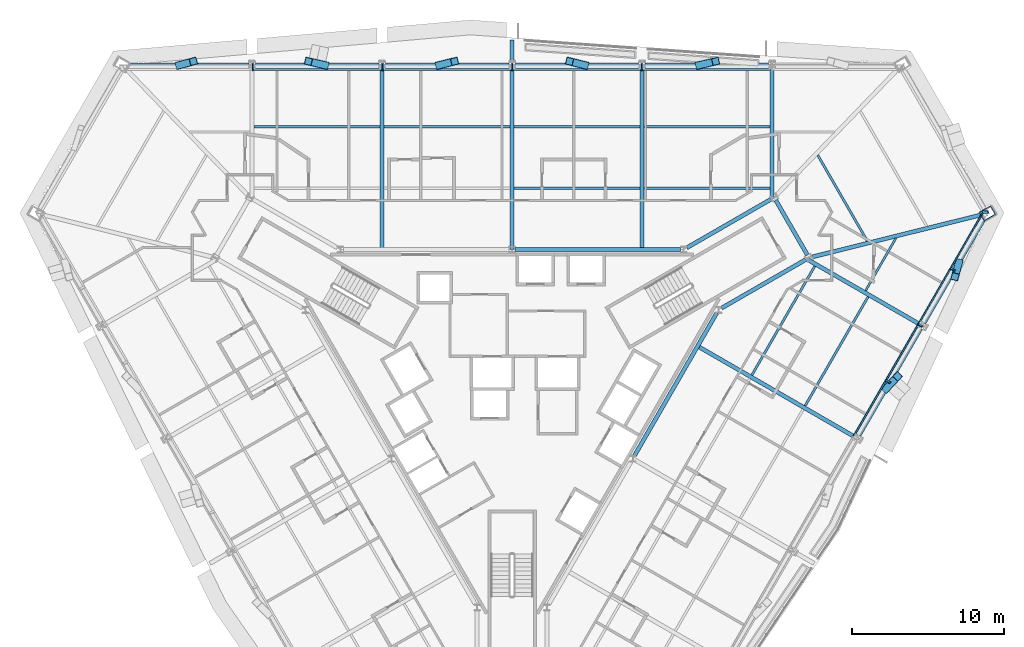
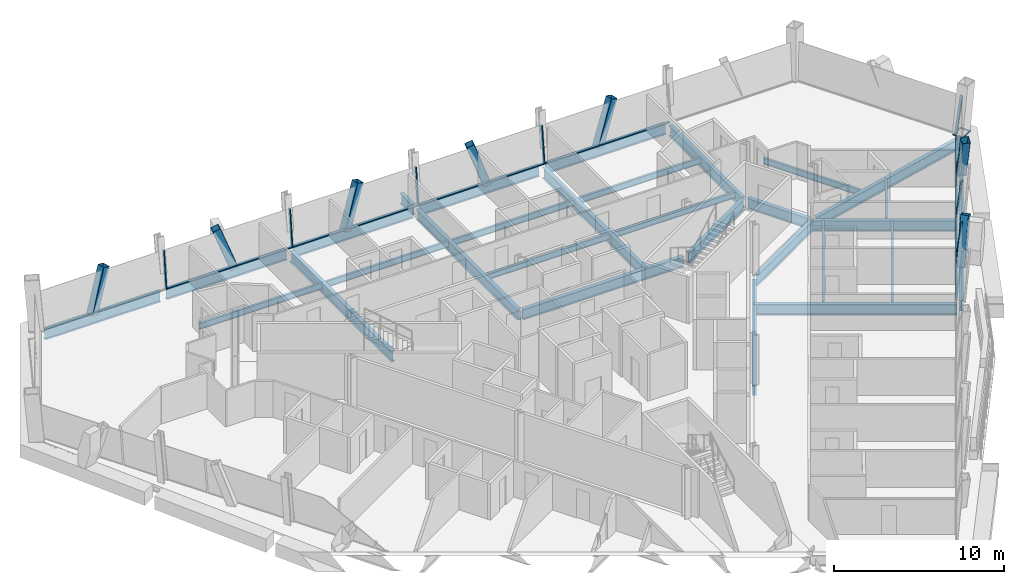
# One storey, part 5 of 15: 30 beams, 24 members, 3 elements without a shape of their own.
"""IFC4 building model written with IfcOpenShell, lengths in metres."""

from ifc_helpers import new_model, si_unit, direction, frame, origin, origin_2d, place, context, subcontext, project, spatial, rectangle, hollow_rectangle, i_section, extrude, material, material_profile, profile_set, type_object, element, aggregate, save


model = new_model("IFC4")

# Units and contexts
model_context = context("Model", 3, precision=1e-05, world=origin(), true_north=direction((0.0, 1.0)))
body_context = subcontext(model_context, "Body", "Model", "MODEL_VIEW")
ifc_project = project(units=[si_unit("LENGTHUNIT", "METRE"), si_unit("AREAUNIT", "SQUARE_METRE"), si_unit("VOLUMEUNIT", "CUBIC_METRE"), si_unit("PLANEANGLEUNIT", "RADIAN"), si_unit("MASSUNIT", "GRAM", prefix="KILO")], contexts=[model_context])

# Site, building, storey
site_placement = place(None, origin())
site = spatial("IfcSite", under=ifc_project, at=site_placement, CompositionType="ELEMENT")
building_placement = place(site_placement, origin())
building = spatial("IfcBuilding", under=site, at=building_placement, Name="Verrane Prism Tower", CompositionType="ELEMENT")
storey_placement = place(building_placement, frame((0.0, 0.0, 72.800048828125)))
storey = spatial("IfcBuildingStorey", under=building, at=storey_placement, Name="L16", CompositionType="ELEMENT", Elevation=72.800048828125)

# Beams
ifc_material_1 = material(Name="Steel A992", Category="steel")
ifc_material_profile_1 = material_profile(ifc_material_1, i_section(OverallWidth=0.2666015625, OverallDepth=0.7568359375, WebThickness=0.013916015625, FlangeThickness=0.019287109375, FilletRadius=0.0166015625, at=origin_2d()), Name="W30x108")
ifc_profile_set_1 = profile_set([ifc_material_profile_1], Name="Steel A992")
beam_type_1 = type_object("IfcBeamType", Name="Core ring girder W30x108", PredefinedType="BEAM", material=ifc_profile_set_1)
beam_1_placement = place(storey_placement, frame((13.833251953125, 5.337158203125, -0.628662109375), z_axis=(0.86646365882, 0.499240150574, 0.0), x_axis=(-0.499240150574, 0.86646365882, 0.0)))
element("IfcBeam", 1, at=beam_1_placement, inside=storey, type_object=beam_type_1, Name="Core ring girder L16", PredefinedType="BEAM", context=body_context, shape_type="SweptSolid", body=[
    extrude(i_section(OverallWidth=0.2666015625, OverallDepth=0.7568359375, WebThickness=0.013916015625, FlangeThickness=0.019287109375, FilletRadius=0.0166015625, at=origin_2d()), origin(), (0.0, 0.0, 1.0), 6.42822265625),
])
beam_2_placement = place(storey_placement, frame((19.4951171875, 8.84130859375, -0.628662109375), z_axis=(-0.500349643494, 0.865823442888, 0.0), x_axis=(-0.865823442888, -0.500349643494, 0.0)))
element("IfcBeam", 2, at=beam_2_placement, inside=storey, type_object=beam_type_1, Name="Core ring girder L16", PredefinedType="BEAM", context=body_context, shape_type="SweptSolid", body=[
    extrude(i_section(OverallWidth=0.2666015625, OverallDepth=0.7568359375, WebThickness=0.013916015625, FlangeThickness=0.019287109375, FilletRadius=0.0166015625, at=origin_2d()), origin(), (0.0, 0.0, 1.0), 4.177734375),
])
beam_3_placement = place(storey_placement, frame((17.10302734375, 12.526611328125, -0.628662109375), z_axis=(-0.866447229751, -0.499268663203, 0.0), x_axis=(0.499268663203, -0.866447229751, 0.0)))
element("IfcBeam", 3, at=beam_3_placement, inside=storey, type_object=beam_type_1, Name="Core ring girder L16", PredefinedType="BEAM", context=body_context, shape_type="SweptSolid", body=[
    extrude(i_section(OverallWidth=0.2666015625, OverallDepth=0.7568359375, WebThickness=0.013916015625, FlangeThickness=0.019287109375, FilletRadius=0.0166015625, at=origin_2d()), origin(), (0.0, 0.0, 1.0), 6.428466796875),
])
beam_4_placement = place(storey_placement, frame((11.126708984375, 9.199951171875, -0.628662109375), z_axis=(-1.0, 0.0, 0.0), x_axis=(0.0, -1.0, 0.0)))
element("IfcBeam", 4, at=beam_4_placement, inside=storey, type_object=beam_type_1, Name="Core ring girder L16", PredefinedType="BEAM", context=body_context, shape_type="SweptSolid", body=[
    extrude(i_section(OverallWidth=0.2666015625, OverallDepth=0.7568359375, WebThickness=0.013916015625, FlangeThickness=0.019287109375, FilletRadius=0.0166015625, at=origin_2d()), origin(), (0.0, 0.0, 1.0), 10.923583984375),
])
beam_5_placement = place(storey_placement, frame((8.090087890625, -4.3916015625, -0.628662109375), z_axis=(0.499371892062, 0.866387738498, 0.0), x_axis=(-0.866387738498, 0.499371892062, 0.0)))
element("IfcBeam", 5, at=beam_5_placement, inside=storey, type_object=beam_type_1, Name="Core ring girder L16", PredefinedType="BEAM", context=body_context, shape_type="SweptSolid", body=[
    extrude(i_section(OverallWidth=0.2666015625, OverallDepth=0.7568359375, WebThickness=0.013916015625, FlangeThickness=0.019287109375, FilletRadius=0.0166015625, at=origin_2d()), origin(), (0.0, 0.0, 1.0), 10.853515625),
])
ifc_material_2 = material(Name="Steel A992", Category="steel")
ifc_material_profile_2 = material_profile(ifc_material_2, i_section(OverallWidth=0.2666015625, OverallDepth=0.76708984375, WebThickness=0.014892578125, FlangeThickness=0.023681640625, FilletRadius=0.0166015625, at=origin_2d()), Name="W30x124")
ifc_profile_set_2 = profile_set([ifc_material_profile_2], Name="Steel A992")
beam_type_2 = type_object("IfcBeamType", Name="Corner girder W30x124", PredefinedType="BEAM", material=ifc_profile_set_2)
beam_6_placement = place(storey_placement, frame((31.3671875, 11.58935546875, -0.603515625), z_axis=(-0.970381185605, -0.24157887868, 0.0), x_axis=(0.24157887868, -0.970381185605, 0.0)))
element("IfcBeam", 6, at=beam_6_placement, inside=storey, type_object=beam_type_2, Name="Corner girder L16", PredefinedType="BEAM", context=body_context, shape_type="SweptSolid", body=[
    extrude(i_section(OverallWidth=0.2666015625, OverallDepth=0.76708984375, WebThickness=0.014892578125, FlangeThickness=0.023681640625, FilletRadius=0.0166015625, at=origin_2d()), origin(), (0.0, 0.0, 1.0), 11.8896484375),
])

# Members
ifc_material_3 = material(Name="Steel A1085 Grade A", Category="steel")
ifc_material_profile_3 = material_profile(ifc_material_3, hollow_rectangle(XDim=0.508056640625, YDim=0.508056640625, WallThickness=0.025390625, InnerFilletRadius=0.0126953125, OuterFilletRadius=0.0380859375, at=origin_2d()), Name="HSS20x20x1")
ifc_profile_set_3 = profile_set([ifc_material_profile_3], Name="Steel A1085 Grade A")
member_type_1 = type_object("IfcMemberType", Name="Facade brace HSS20x20x1", PredefinedType="BRACE", material=ifc_profile_set_3)
member_1_placement = place(storey_placement, frame((12.35400390625, 21.3701171875, -0.24267578125), z_axis=(0.338443741987, 0.07762820257, 0.937779129473), x_axis=(-0.223562703045, 0.97468954945, 0.0)))
element("IfcMember", 7, at=member_1_placement, inside=storey, type_object=member_type_1, Name="Facade brace N1 L16", PredefinedType="BRACE", context=body_context, shape_type="SweptSolid", body=[
    extrude(hollow_rectangle(XDim=0.508056640625, YDim=0.508056640625, WallThickness=0.025390625, InnerFilletRadius=0.0126953125, OuterFilletRadius=0.0380859375, at=origin_2d()), origin(), (0.0, 0.0, 1.0), 3.2080078125),
])
for number, where, z_axis, x_axis, name in (
    (8, (4.79833984375, 21.3701171875, -0.24267578125), (-0.315925136364, 0.078271469296, 0.945550043788), (-0.240482520893, -0.970653469135, 0.0), "Facade brace N2 L16"),
    (9, (-4.79833984375, 21.3701171875, -0.24267578125), (0.315925136364, 0.078271469296, 0.945550043788), (-0.240482520893, 0.970653469135, 0.0), "Facade brace N3 L16"),
):
    element("IfcMember", number, at=place(storey_placement, frame(where, z_axis=z_axis, x_axis=x_axis)), inside=storey, type_object=member_type_1, Name=name, PredefinedType="BRACE", context=body_context, shape_type="SweptSolid", body=[
        extrude(hollow_rectangle(XDim=0.508056640625, YDim=0.508056640625, WallThickness=0.025390625, InnerFilletRadius=0.0126953125, OuterFilletRadius=0.0380859375, at=origin_2d()), origin(), (0.0, 0.0, 1.0), 3.181640625),
    ])
member_2_placement = place(storey_placement, frame((-12.35400390625, 21.3701171875, -0.24267578125), z_axis=(-0.338443741987, 0.07762820257, 0.937779129473), x_axis=(-0.223562703045, -0.97468954945, 0.0)))
element("IfcMember", 10, at=member_2_placement, inside=storey, type_object=member_type_1, Name="Facade brace N4 L16", PredefinedType="BRACE", context=body_context, shape_type="SweptSolid", body=[
    extrude(hollow_rectangle(XDim=0.508056640625, YDim=0.508056640625, WallThickness=0.025390625, InnerFilletRadius=0.0126953125, OuterFilletRadius=0.0380859375, at=origin_2d()), origin(), (0.0, 0.0, 1.0), 3.2080078125),
])
member_3_placement = place(storey_placement, frame((-21.9560546875, 21.3701171875, -0.24267578125), z_axis=(0.293213198396, 0.078870638809, 0.952788246475), x_axis=(-0.259754282609, 0.965674744759, 0.0)))
element("IfcMember", 11, at=member_3_placement, inside=storey, type_object=member_type_1, Name="Facade brace N5 L16", PredefinedType="BRACE", context=body_context, shape_type="SweptSolid", body=[
    extrude(hollow_rectangle(XDim=0.508056640625, YDim=0.508056640625, WallThickness=0.025390625, InnerFilletRadius=0.0126953125, OuterFilletRadius=0.0380859375, at=origin_2d()), origin(), (0.0, 0.0, 1.0), 3.157470703125),
])
member_4_placement = place(storey_placement, frame((24.68212890625, 0.01708984375, -0.24267578125), z_axis=(0.237161873615, 0.25450961413, 0.937538853605), x_axis=(-0.731600522477, 0.681733581035, 0.0)))
element("IfcMember", 12, at=member_4_placement, inside=storey, type_object=member_type_1, Name="Facade brace SE4 L16", PredefinedType="BRACE", context=body_context, shape_type="SweptSolid", body=[
    extrude(hollow_rectangle(XDim=0.508056640625, YDim=0.508056640625, WallThickness=0.025390625, InnerFilletRadius=0.0126953125, OuterFilletRadius=0.0380859375, at=origin_2d()), origin(), (0.0, 0.0, 1.0), 3.208740234375),
])
member_5_placement = place(storey_placement, frame((29.48583984375, 8.3310546875, -0.24267578125), z_axis=(-0.078793794951, -0.293214985727, 0.952794054359), x_axis=(0.965738598489, -0.259516780554, 0.0)))
element("IfcMember", 13, at=member_5_placement, inside=storey, type_object=member_type_1, Name="Facade brace SE5 L16", PredefinedType="BRACE", context=body_context, shape_type="SweptSolid", body=[
    extrude(hollow_rectangle(XDim=0.508056640625, YDim=0.508056640625, WallThickness=0.025390625, InnerFilletRadius=0.0126953125, OuterFilletRadius=0.0380859375, at=origin_2d()), origin(), (0.0, 0.0, 1.0), 3.1572265625),
])

# Beams
ifc_material_4 = material(Name="Steel A992", Category="steel")
ifc_material_profile_4 = material_profile(ifc_material_4, i_section(OverallWidth=0.140380859375, OverallDepth=0.40380859375, WebThickness=0.007080078125, FlangeThickness=0.01123046875, FilletRadius=0.01025390625, at=origin_2d()), Name="W16x31")
ifc_profile_set_4 = profile_set([ifc_material_profile_4], Name="Steel A992")
beam_type_3 = type_object("IfcBeamType", Name="Floor beam W16x31", PredefinedType="BEAM", material=ifc_profile_set_4)
beam_7_placement = place(storey_placement, frame((23.333984375, 6.484375, -0.362060546875), z_axis=(0.499997052475, 0.866027105532, 0.0), x_axis=(-0.866027105532, 0.499997052475, 0.0)))
element("IfcBeam", 14, at=beam_7_placement, inside=storey, type_object=beam_type_3, Name="Floor beam L16", PredefinedType="BEAM", context=body_context, shape_type="SweptSolid", body=[
    extrude(i_section(OverallWidth=0.140380859375, OverallDepth=0.40380859375, WebThickness=0.007080078125, FlangeThickness=0.01123046875, FilletRadius=0.01025390625, at=origin_2d()), origin(), (0.0, 0.0, 1.0), 4.001953125),
])
ifc_material_5 = material(Name="Steel A992", Category="steel")
ifc_material_profile_5 = material_profile(ifc_material_5, i_section(OverallWidth=0.15234375, OverallDepth=0.449462890625, WebThickness=0.007568359375, FlangeThickness=0.0107421875, FilletRadius=0.01025390625, at=origin_2d()), Name="W18x35")
ifc_profile_set_5 = profile_set([ifc_material_profile_5], Name="Steel A992")
beam_type_4 = type_object("IfcBeamType", Name="Floor beam W18x35", PredefinedType="BEAM", material=ifc_profile_set_5)
for number, where, z_axis, x_axis, name in (
    (15, (8.70361328125, 13.256591796875, -0.384765625), (1.0, 0.0, 0.0), (0.0, 1.0, 0.0), "Floor beam L16"),
    (16, (8.70361328125, 17.313232421875, -0.384765625), (1.0, 0.0, 0.0), (0.0, 1.0, 0.0), "Floor beam L16"),
):
    element("IfcBeam", number, at=place(storey_placement, frame(where, z_axis=z_axis, x_axis=x_axis)), inside=storey, type_object=beam_type_4, Name=name, PredefinedType="BEAM", context=body_context, shape_type="SweptSolid", body=[
        extrude(i_section(OverallWidth=0.15234375, OverallDepth=0.449462890625, WebThickness=0.007568359375, FlangeThickness=0.0107421875, FilletRadius=0.01025390625, at=origin_2d()), origin(), (0.0, 0.0, 1.0), 8.31298828125),
    ])
for number, where, z_axis, x_axis, name in (
    (17, (0.133544921875, 13.256591796875, -0.384765625), (1.0, 0.0, 0.0), (0.0, 1.0, 0.0), "Floor beam L16"),
    (18, (0.133544921875, 17.313232421875, -0.384765625), (1.0, 0.0, 0.0), (0.0, 1.0, 0.0), "Floor beam L16"),
    (19, (-8.4365234375, 17.313232421875, -0.384765625), (1.0, 0.0, 0.0), (0.0, 1.0, 0.0), "Floor beam L16"),
):
    element("IfcBeam", number, at=place(storey_placement, frame(where, z_axis=z_axis, x_axis=x_axis)), inside=storey, type_object=beam_type_4, Name=name, PredefinedType="BEAM", context=body_context, shape_type="SweptSolid", body=[
        extrude(i_section(OverallWidth=0.15234375, OverallDepth=0.449462890625, WebThickness=0.007568359375, FlangeThickness=0.0107421875, FilletRadius=0.01025390625, at=origin_2d()), origin(), (0.0, 0.0, 1.0), 8.302978515625),
    ])
beam_8_placement = place(storey_placement, frame((-17.0166015625, 17.313232421875, -0.384765625), z_axis=(1.0, 0.0, 0.0), x_axis=(0.0, 1.0, 0.0)))
element("IfcBeam", 20, at=beam_8_placement, inside=storey, type_object=beam_type_4, Name="Floor beam L16", PredefinedType="BEAM", context=body_context, shape_type="SweptSolid", body=[
    extrude(i_section(OverallWidth=0.15234375, OverallDepth=0.449462890625, WebThickness=0.007568359375, FlangeThickness=0.0107421875, FilletRadius=0.01025390625, at=origin_2d()), origin(), (0.0, 0.0, 1.0), 8.31298828125),
])
beam_9_placement = place(storey_placement, frame((19.343505859375, -1.114501953125, -0.384765625), z_axis=(0.499991203388, 0.866030482451, 0.0), x_axis=(-0.866030482451, 0.499991203388, 0.0)))
element("IfcBeam", 21, at=beam_9_placement, inside=storey, type_object=beam_type_4, Name="Floor beam L16", PredefinedType="BEAM", context=body_context, shape_type="SweptSolid", body=[
    extrude(i_section(OverallWidth=0.15234375, OverallDepth=0.449462890625, WebThickness=0.007568359375, FlangeThickness=0.0107421875, FilletRadius=0.01025390625, at=origin_2d()), origin(), (0.0, 0.0, 1.0), 8.309326171875),
])
beam_10_placement = place(storey_placement, frame((15.830078125, 0.91552734375, -0.384765625), z_axis=(0.500002345008, 0.866024049889, 0.0), x_axis=(-0.866024049889, 0.500002345008, 0.0)))
element("IfcBeam", 22, at=beam_10_placement, inside=storey, type_object=beam_type_4, Name="Floor beam L16", PredefinedType="BEAM", context=body_context, shape_type="SweptSolid", body=[
    extrude(i_section(OverallWidth=0.15234375, OverallDepth=0.449462890625, WebThickness=0.007568359375, FlangeThickness=0.0107421875, FilletRadius=0.01025390625, at=origin_2d()), origin(), (0.0, 0.0, 1.0), 8.3056640625),
])
beam_11_placement = place(storey_placement, frame((23.45263671875, 9.756591796875, -0.384765625), z_axis=(-0.499982664585, 0.86603541216, 0.0), x_axis=(-0.86603541216, -0.499982664585, 0.0)))
element("IfcBeam", 23, at=beam_11_placement, inside=storey, type_object=beam_type_4, Name="Floor beam L16", PredefinedType="BEAM", context=body_context, shape_type="SweptSolid", body=[
    extrude(i_section(OverallWidth=0.15234375, OverallDepth=0.449462890625, WebThickness=0.007568359375, FlangeThickness=0.0107421875, FilletRadius=0.01025390625, at=origin_2d()), origin(), (0.0, 0.0, 1.0), 6.551513671875),
])

# Member
ifc_material_6 = material(Name="Steel A572 Grade 50", Category="steel")
ifc_material_profile_6 = material_profile(ifc_material_6, hollow_rectangle(XDim=0.699951171875, YDim=0.89990234375, WallThickness=0.06494140625, at=origin_2d()), Name="BOX 900x700x65")
ifc_profile_set_6 = profile_set([ifc_material_profile_6], Name="Steel A572 Grade 50")
member_type_2 = type_object("IfcMemberType", Name="Kink node BOX 900x700x65", PredefinedType="COLLAR", material=ifc_profile_set_6)
member_6_placement = place(storey_placement, frame((31.371826171875, 11.590087890625, -0.0400390625), z_axis=(0.0, 0.0, 1.0), x_axis=(0.5, -0.866025403784, 0.0)))
element("IfcMember", 24, at=member_6_placement, inside=storey, type_object=member_type_2, Name="Kink node MC3 L16", PredefinedType="COLLAR", context=body_context, shape_type="SweptSolid", body=[
    extrude(hollow_rectangle(XDim=0.699951171875, YDim=0.89990234375, WallThickness=0.06494140625, at=origin_2d()), origin(), (0.0, 0.0, 1.0), 0.080078125),
])

# Curtain wall, members
ifc_material_7 = material(Name="Aluminium framed insulated glazing", Category="aluminium")
curtain_wall_type_1 = type_object("IfcCurtainWallType", Name="Curtain wall CW-C 4200 module", PredefinedType="NOTDEFINED", material=ifc_material_7)
curtain_wall_1_placement = place(storey_placement, origin())
curtain_wall_1 = element("IfcCurtainWall", 25, at=curtain_wall_1_placement, inside=storey, type_object=curtain_wall_type_1, Name="Glazed curtain wall south-east face L16", PredefinedType="NOTDEFINED")
ifc_material_8 = material(Name="Aluminium alloy 6063-T6", Category="aluminium")
ifc_material_profile_7 = material_profile(ifc_material_8, rectangle(XDim=0.139892578125, YDim=0.050048828125, at=origin_2d()), Name="Mullion 50x140 aluminium")
ifc_profile_set_7 = profile_set([ifc_material_profile_7], Name="Aluminium alloy 6063-T6")
member_type_3 = type_object("IfcMemberType", Name="Mullion 50x140 aluminium", PredefinedType="MULLION", material=ifc_profile_set_7)
member_7_placement = place(storey_placement, frame((24.677490234375, 0.560791015625, 0.0), z_axis=(0.098771561601, -0.057090705249, 0.99347110174), x_axis=(-0.863445525252, -0.501206573881, 0.057042047835)))
member_7 = element("IfcMember", 26, at=member_7_placement, type_object=member_type_3, Name="CW14.6 mullion 10", PredefinedType="MULLION", context=body_context, shape_type="SweptSolid", body=[
    extrude(rectangle(XDim=0.139892578125, YDim=0.050048828125, at=origin_2d()), origin(), (0.0, 0.0, 1.0), 2.6298828125),
])
member_8_placement = place(storey_placement, frame((26.81494140625, 4.262939453125, 0.0), z_axis=(0.098771561601, -0.057090705249, 0.99347110174), x_axis=(-0.863445525252, -0.501206573881, 0.057042047835)))
member_8 = element("IfcMember", 27, at=member_8_placement, type_object=member_type_3, Name="CW14.6 mullion 11", PredefinedType="MULLION", context=body_context, shape_type="SweptSolid", body=[
    extrude(rectangle(XDim=0.139892578125, YDim=0.050048828125, at=origin_2d()), origin(), (0.0, 0.0, 1.0), 2.6298828125),
])
member_9_placement = place(storey_placement, frame((28.952392578125, 7.96484375, 0.0), z_axis=(0.098772084644, -0.056998176665, 0.993476362654), x_axis=(-0.863094352371, -0.501813667585, 0.057019136519)))
member_9 = element("IfcMember", 28, at=member_9_placement, type_object=member_type_3, Name="CW14.6 mullion 12", PredefinedType="MULLION", context=body_context, shape_type="SweptSolid", body=[
    extrude(rectangle(XDim=0.139892578125, YDim=0.050048828125, at=origin_2d()), origin(), (0.0, 0.0, 1.0), 2.6298828125),
])

# Curtain wall, member
ifc_material_9 = material(Name="Aluminium framed insulated glazing", Category="aluminium")
curtain_wall_type_2 = type_object("IfcCurtainWallType", Name="Curtain wall CW-A 8400 module", PredefinedType="NOTDEFINED", material=ifc_material_9)
curtain_wall_2_placement = place(storey_placement, origin())
curtain_wall_2 = element("IfcCurtainWall", 29, at=curtain_wall_2_placement, inside=storey, type_object=curtain_wall_type_2, Name="Glazed curtain wall north-east corner L16", PredefinedType="NOTDEFINED")
ifc_material_10 = material(Name="Aluminium alloy 6063-T6", Category="aluminium")
ifc_material_profile_8 = material_profile(ifc_material_10, rectangle(XDim=0.199951171875, YDim=0.070068359375, at=origin_2d()), Name="Mullion 70x200 aluminium")
ifc_profile_set_8 = profile_set([ifc_material_profile_8], Name="Aluminium alloy 6063-T6")
member_type_4 = type_object("IfcMemberType", Name="Mullion 70x200 aluminium", PredefinedType="MULLION", material=ifc_profile_set_8)
member_10_placement = place(storey_placement, frame((31.072265625, 11.697265625, 0.0), z_axis=(0.13797823122, -0.011289969288, 0.990370912488), x_axis=(0.422906688937, -0.903525668241, -0.069219211804)))
member_10 = element("IfcMember", 30, at=member_10_placement, type_object=member_type_4, Name="CW14.1 mullion 1", PredefinedType="MULLION", context=body_context, shape_type="SweptSolid", body=[
    extrude(rectangle(XDim=0.199951171875, YDim=0.070068359375, at=origin_2d()), origin(), (0.0, 0.0, 1.0), 2.63818359375),
])
aggregate(curtain_wall_2, [member_10])

# Curtain wall, members
curtain_wall_3_placement = place(storey_placement, origin())
curtain_wall_3 = element("IfcCurtainWall", 31, at=curtain_wall_3_placement, inside=storey, type_object=curtain_wall_type_2, Name="Glazed curtain wall north face L16", PredefinedType="NOTDEFINED")
member_11_placement = place(storey_placement, frame((8.549560546875, 21.091064453125, 0.0), z_axis=(0.0, 0.114088521093, 0.993470588067), x_axis=(0.0, 0.993470588067, -0.114088521093)))
member_11 = element("IfcMember", 32, at=member_11_placement, type_object=member_type_4, Name="CW14.2 mullion 3", PredefinedType="MULLION", context=body_context, shape_type="SweptSolid", body=[
    extrude(rectangle(XDim=0.199951171875, YDim=0.070068359375, at=origin_2d()), origin(), (0.0, 0.0, 1.0), 2.6298828125),
])
member_12_placement = place(storey_placement, frame((0.0, 21.091064453125, 0.0), z_axis=(0.0, 0.114088521093, 0.993470588067), x_axis=(0.0, 0.993470588067, -0.114088521093)))
member_12 = element("IfcMember", 33, at=member_12_placement, type_object=member_type_4, Name="CW14.2 mullion 4", PredefinedType="MULLION", context=body_context, shape_type="SweptSolid", body=[
    extrude(rectangle(XDim=0.199951171875, YDim=0.070068359375, at=origin_2d()), origin(), (0.0, 0.0, 1.0), 2.6298828125),
])
member_13_placement = place(storey_placement, frame((-8.549560546875, 21.091064453125, 0.0), z_axis=(0.0, 0.114088521093, 0.993470588067), x_axis=(0.0, 0.993470588067, -0.114088521093)))
member_13 = element("IfcMember", 34, at=member_13_placement, type_object=member_type_4, Name="CW14.2 mullion 5", PredefinedType="MULLION", context=body_context, shape_type="SweptSolid", body=[
    extrude(rectangle(XDim=0.199951171875, YDim=0.070068359375, at=origin_2d()), origin(), (0.0, 0.0, 1.0), 2.6298828125),
])
member_14_placement = place(storey_placement, frame((-17.09912109375, 21.091064453125, 0.0), z_axis=(0.0, 0.114088521093, 0.993470588067), x_axis=(0.0, 0.993470588067, -0.114088521093)))
member_14 = element("IfcMember", 35, at=member_14_placement, type_object=member_type_4, Name="CW14.2 mullion 6", PredefinedType="MULLION", context=body_context, shape_type="SweptSolid", body=[
    extrude(rectangle(XDim=0.199951171875, YDim=0.070068359375, at=origin_2d()), origin(), (0.0, 0.0, 1.0), 2.6298828125),
])

# Beams
ifc_material_11 = material(Name="Steel A992", Category="steel")
ifc_material_profile_9 = material_profile(ifc_material_11, i_section(OverallWidth=0.2666015625, OverallDepth=0.76708984375, WebThickness=0.014892578125, FlangeThickness=0.023681640625, FilletRadius=0.0166015625, at=origin_2d()), Name="W30x124")
ifc_profile_set_9 = profile_set([ifc_material_profile_9], Name="Steel A992")
beam_type_5 = type_object("IfcBeamType", Name="Radial girder W30x124", PredefinedType="BEAM", material=ifc_profile_set_9)
beam_12_placement = place(storey_placement, frame((17.14990234375, 21.12109375, -0.603515625), z_axis=(0.0, -1.0, 0.0), x_axis=(1.0, 0.0, 0.0)))
element("IfcBeam", 36, at=beam_12_placement, inside=storey, type_object=beam_type_5, Name="Radial girder L16", PredefinedType="BEAM", context=body_context, shape_type="SweptSolid", body=[
    extrude(i_section(OverallWidth=0.2666015625, OverallDepth=0.76708984375, WebThickness=0.014892578125, FlangeThickness=0.023681640625, FilletRadius=0.0166015625, at=origin_2d()), origin(), (0.0, 0.0, 1.0), 8.5673828125),
])
for number, where, z_axis, x_axis, name in (
    (37, (8.570068359375, 21.12109375, -0.603515625), (0.0, -1.0, 0.0), (1.0, 0.0, 0.0), "Radial girder L16"),
    (38, (0.0, 21.12109375, -0.603515625), (0.0, -1.0, 0.0), (1.0, 0.0, 0.0), "Radial girder L16"),
    (39, (-8.570068359375, 21.12109375, -0.603515625), (0.0, -1.0, 0.0), (1.0, 0.0, 0.0), "Radial girder L16"),
):
    element("IfcBeam", number, at=place(storey_placement, frame(where, z_axis=z_axis, x_axis=x_axis)), inside=storey, type_object=beam_type_5, Name=name, PredefinedType="BEAM", context=body_context, shape_type="SweptSolid", body=[
        extrude(i_section(OverallWidth=0.2666015625, OverallDepth=0.76708984375, WebThickness=0.014892578125, FlangeThickness=0.023681640625, FilletRadius=0.0166015625, at=origin_2d()), origin(), (0.0, 0.0, 1.0), 11.921142578125),
    ])
beam_13_placement = place(storey_placement, frame((22.574462890625, -3.135498046875, -0.603515625), z_axis=(-0.866026670785, 0.499997805483, 0.0), x_axis=(-0.499997805483, -0.866026670785, 0.0)))
element("IfcBeam", 40, at=beam_13_placement, inside=storey, type_object=beam_type_5, Name="Radial girder L16", PredefinedType="BEAM", context=body_context, shape_type="SweptSolid", body=[
    extrude(i_section(OverallWidth=0.2666015625, OverallDepth=0.76708984375, WebThickness=0.014892578125, FlangeThickness=0.023681640625, FilletRadius=0.0166015625, at=origin_2d()), origin(), (0.0, 0.0, 1.0), 11.921875),
])
beam_14_placement = place(storey_placement, frame((26.864501953125, 4.29443359375, -0.603515625), z_axis=(-0.866021248858, 0.500007196474, 0.0), x_axis=(-0.500007196474, -0.866021248858, 0.0)))
element("IfcBeam", 41, at=beam_14_placement, inside=storey, type_object=beam_type_5, Name="Radial girder L16", PredefinedType="BEAM", context=body_context, shape_type="SweptSolid", body=[
    extrude(i_section(OverallWidth=0.2666015625, OverallDepth=0.76708984375, WebThickness=0.014892578125, FlangeThickness=0.023681640625, FilletRadius=0.0166015625, at=origin_2d()), origin(), (0.0, 0.0, 1.0), 8.559814453125),
])
beam_15_placement = place(storey_placement, frame((0.0, 21.614990234375, -0.603515625), z_axis=(0.0, 1.0, 0.0), x_axis=(-1.0, 0.0, 0.0)))
element("IfcBeam", 42, at=beam_15_placement, inside=storey, type_object=beam_type_5, Name="Cantilever girder L16", PredefinedType="BEAM", context=body_context, shape_type="SweptSolid", body=[
    extrude(i_section(OverallWidth=0.2666015625, OverallDepth=0.76708984375, WebThickness=0.014892578125, FlangeThickness=0.023681640625, FilletRadius=0.0166015625, at=origin_2d()), origin(), (0.0, 0.0, 1.0), 1.408935546875),
])
ifc_material_12 = material(Name="Steel A992", Category="steel")
ifc_material_profile_10 = material_profile(ifc_material_12, i_section(OverallWidth=0.2666015625, OverallDepth=0.7568359375, WebThickness=0.013916015625, FlangeThickness=0.019287109375, FilletRadius=0.0166015625, at=origin_2d()), Name="W30x108")
ifc_profile_set_10 = profile_set([ifc_material_profile_10], Name="Steel A992")
beam_type_6 = type_object("IfcBeamType", Name="Spandrel beam W30x108", PredefinedType="SPANDREL", material=ifc_profile_set_10)
beam_16_placement = place(storey_placement, frame((16.93408203125, 21.3701171875, -0.53857421875), z_axis=(-1.0, 0.0, 0.0), x_axis=(0.0, -1.0, 0.0)))
element("IfcBeam", 43, at=beam_16_placement, inside=storey, type_object=beam_type_6, Name="Spandrel beam L16", PredefinedType="SPANDREL", context=body_context, shape_type="SweptSolid", body=[
    extrude(i_section(OverallWidth=0.2666015625, OverallDepth=0.7568359375, WebThickness=0.013916015625, FlangeThickness=0.019287109375, FilletRadius=0.0166015625, at=origin_2d()), origin(), (0.0, 0.0, 1.0), 8.148193359375),
])
for number, where, z_axis, x_axis, name in (
    (44, (8.35400390625, 21.3701171875, -0.53857421875), (-1.0, 0.0, 0.0), (0.0, -1.0, 0.0), "Spandrel beam L16"),
    (45, (-0.2158203125, 21.3701171875, -0.53857421875), (-1.0, 0.0, 0.0), (0.0, -1.0, 0.0), "Spandrel beam L16"),
):
    element("IfcBeam", number, at=place(storey_placement, frame(where, z_axis=z_axis, x_axis=x_axis)), inside=storey, type_object=beam_type_6, Name=name, PredefinedType="SPANDREL", context=body_context, shape_type="SweptSolid", body=[
        extrude(i_section(OverallWidth=0.2666015625, OverallDepth=0.7568359375, WebThickness=0.013916015625, FlangeThickness=0.019287109375, FilletRadius=0.0166015625, at=origin_2d()), origin(), (0.0, 0.0, 1.0), 8.13818359375),
    ])
beam_17_placement = place(storey_placement, frame((-8.785888671875, 21.3701171875, -0.53857421875), z_axis=(-1.0, 0.0, 0.0), x_axis=(0.0, -1.0, 0.0)))
element("IfcBeam", 46, at=beam_17_placement, inside=storey, type_object=beam_type_6, Name="Spandrel beam L16", PredefinedType="SPANDREL", context=body_context, shape_type="SweptSolid", body=[
    extrude(i_section(OverallWidth=0.2666015625, OverallDepth=0.7568359375, WebThickness=0.013916015625, FlangeThickness=0.019287109375, FilletRadius=0.0166015625, at=origin_2d()), origin(), (0.0, 0.0, 1.0), 8.148193359375),
])
beam_18_placement = place(storey_placement, frame((-17.365966796875, 21.3701171875, -0.53857421875), z_axis=(-1.0, 0.0, 0.0), x_axis=(0.0, -1.0, 0.0)))
element("IfcBeam", 47, at=beam_18_placement, inside=storey, type_object=beam_type_6, Name="Spandrel beam L16", PredefinedType="SPANDREL", context=body_context, shape_type="SweptSolid", body=[
    extrude(i_section(OverallWidth=0.2666015625, OverallDepth=0.7568359375, WebThickness=0.013916015625, FlangeThickness=0.019287109375, FilletRadius=0.0166015625, at=origin_2d()), origin(), (0.0, 0.0, 1.0), 7.83447265625),
])
beam_19_placement = place(storey_placement, frame((22.89794921875, -3.072998046875, -0.53857421875), z_axis=(0.500022470507, 0.866012430043, 0.0), x_axis=(-0.866012430043, 0.500022470507, 0.0)))
element("IfcBeam", 48, at=beam_19_placement, inside=storey, type_object=beam_type_6, Name="Spandrel beam L16", PredefinedType="SPANDREL", context=body_context, shape_type="SweptSolid", body=[
    extrude(i_section(OverallWidth=0.2666015625, OverallDepth=0.7568359375, WebThickness=0.013916015625, FlangeThickness=0.019287109375, FilletRadius=0.0166015625, at=origin_2d()), origin(), (0.0, 0.0, 1.0), 8.147705078125),
])
beam_20_placement = place(storey_placement, frame((27.18798828125, 4.35693359375, -0.53857421875), z_axis=(0.50054491005, 0.865710571163, 0.0), x_axis=(-0.865710571163, 0.50054491005, 0.0)))
element("IfcBeam", 49, at=beam_20_placement, inside=storey, type_object=beam_type_6, Name="Spandrel beam L16", PredefinedType="SPANDREL", context=body_context, shape_type="SweptSolid", body=[
    extrude(i_section(OverallWidth=0.2666015625, OverallDepth=0.7568359375, WebThickness=0.013916015625, FlangeThickness=0.019287109375, FilletRadius=0.0166015625, at=origin_2d()), origin(), (0.0, 0.0, 1.0), 7.835693359375),
])

# Member
ifc_material_13 = material(Name="Aluminium alloy 6063-T6", Category="aluminium")
ifc_material_profile_11 = material_profile(ifc_material_13, rectangle(XDim=0.10009765625, YDim=0.050048828125, at=origin_2d()), Name="Transom 50x100 aluminium")
ifc_profile_set_11 = profile_set([ifc_material_profile_11], Name="Aluminium alloy 6063-T6")
member_type_5 = type_object("IfcMemberType", Name="Transom 50x100 aluminium", PredefinedType="USERDEFINED", material=ifc_profile_set_11)
member_15_placement = place(storey_placement, frame((22.552490234375, -3.11962890625, 0.02490234375), z_axis=(0.500035923186, 0.86600466253, 0.0), x_axis=(-0.86600466253, 0.500035923186, 0.0)))
member_15 = element("IfcMember", 50, at=member_15_placement, type_object=member_type_5, Name="CW14.6 transom 9", ObjectType="TRANSOM", PredefinedType="USERDEFINED", context=body_context, shape_type="SweptSolid", body=[
    extrude(rectangle(XDim=0.10009765625, YDim=0.050048828125, at=origin_2d()), origin(), (0.0, 0.0, 1.0), 4.224853515625),
])

member_16_placement = place(storey_placement, frame((24.68994140625, 0.58251953125, 0.02490234375), z_axis=(0.500035923186, 0.86600466253, 0.0), x_axis=(-0.86600466253, 0.500035923186, 0.0)))
member_16 = element("IfcMember", 51, at=member_16_placement, type_object=member_type_5, Name="CW14.6 transom 10", ObjectType="TRANSOM", PredefinedType="USERDEFINED", context=body_context, shape_type="SweptSolid", body=[
    extrude(rectangle(XDim=0.10009765625, YDim=0.050048828125, at=origin_2d()), origin(), (0.0, 0.0, 1.0), 4.224853515625),
])

member_17_placement = place(storey_placement, frame((26.827392578125, 4.284423828125, 0.02490234375), z_axis=(0.499967560512, 0.866044131922, 0.0), x_axis=(-0.866044131922, 0.499967560512, 0.0)))
member_17 = element("IfcMember", 52, at=member_17_placement, type_object=member_type_5, Name="CW14.6 transom 11", ObjectType="TRANSOM", PredefinedType="USERDEFINED", context=body_context, shape_type="SweptSolid", body=[
    extrude(rectangle(XDim=0.10009765625, YDim=0.050048828125, at=origin_2d()), origin(), (0.0, 0.0, 1.0), 4.224853515625),
])

member_18_placement = place(storey_placement, frame((28.96484375, 7.986572265625, 0.02490234375), z_axis=(0.499976073514, 0.866039217307, 0.0), x_axis=(-0.866039217307, 0.499976073514, 0.0)))
member_18 = element("IfcMember", 53, at=member_18_placement, type_object=member_type_5, Name="CW14.6 transom 12", ObjectType="TRANSOM", PredefinedType="USERDEFINED", context=body_context, shape_type="SweptSolid", body=[
    extrude(rectangle(XDim=0.10009765625, YDim=0.050048828125, at=origin_2d()), origin(), (0.0, 0.0, 1.0), 4.249755859375),
])

aggregate(curtain_wall_1, [member_7, member_8, member_9, member_15, member_16, member_17, member_18])

ifc_material_14 = material(Name="Aluminium alloy 6063-T6", Category="aluminium")
ifc_material_profile_12 = material_profile(ifc_material_14, rectangle(XDim=0.14990234375, YDim=0.070068359375, at=origin_2d()), Name="Transom 70x150 aluminium")
ifc_profile_set_12 = profile_set([ifc_material_profile_12], Name="Aluminium alloy 6063-T6")
member_type_6 = type_object("IfcMemberType", Name="Transom 70x150 aluminium", PredefinedType="USERDEFINED", material=ifc_profile_set_12)
member_19_placement = place(storey_placement, frame((17.064208984375, 21.091064453125, 0.034912109375), z_axis=(-1.0, 0.0, 0.0), x_axis=(0.0, -1.0, 0.0)))
member_19 = element("IfcMember", 54, at=member_19_placement, type_object=member_type_6, Name="CW14.2 transom 2", ObjectType="TRANSOM", PredefinedType="USERDEFINED", context=body_context, shape_type="SweptSolid", body=[
    extrude(rectangle(XDim=0.14990234375, YDim=0.070068359375, at=origin_2d()), origin(), (0.0, 0.0, 1.0), 8.4794921875),
])

member_20_placement = place(storey_placement, frame((8.5146484375, 21.091064453125, 0.034912109375), z_axis=(-1.0, 0.0, 0.0), x_axis=(0.0, -1.0, 0.0)))
member_20 = element("IfcMember", 55, at=member_20_placement, type_object=member_type_6, Name="CW14.2 transom 3", ObjectType="TRANSOM", PredefinedType="USERDEFINED", context=body_context, shape_type="SweptSolid", body=[
    extrude(rectangle(XDim=0.14990234375, YDim=0.070068359375, at=origin_2d()), origin(), (0.0, 0.0, 1.0), 8.479736328125),
])

member_21_placement = place(storey_placement, frame((-0.034912109375, 21.091064453125, 0.034912109375), z_axis=(-1.0, 0.0, 0.0), x_axis=(0.0, -1.0, 0.0)))
member_21 = element("IfcMember", 56, at=member_21_placement, type_object=member_type_6, Name="CW14.2 transom 4", ObjectType="TRANSOM", PredefinedType="USERDEFINED", context=body_context, shape_type="SweptSolid", body=[
    extrude(rectangle(XDim=0.14990234375, YDim=0.070068359375, at=origin_2d()), origin(), (0.0, 0.0, 1.0), 8.479736328125),
])

member_22_placement = place(storey_placement, frame((-8.584716796875, 21.091064453125, 0.034912109375), z_axis=(-1.0, 0.0, 0.0), x_axis=(0.0, -1.0, 0.0)))
member_22 = element("IfcMember", 57, at=member_22_placement, type_object=member_type_6, Name="CW14.2 transom 5", ObjectType="TRANSOM", PredefinedType="USERDEFINED", context=body_context, shape_type="SweptSolid", body=[
    extrude(rectangle(XDim=0.14990234375, YDim=0.070068359375, at=origin_2d()), origin(), (0.0, 0.0, 1.0), 8.4794921875),
])

aggregate(curtain_wall_3, [member_11, member_12, member_13, member_14, member_19, member_20, member_21, member_22])

save(model, "model.ifc")
